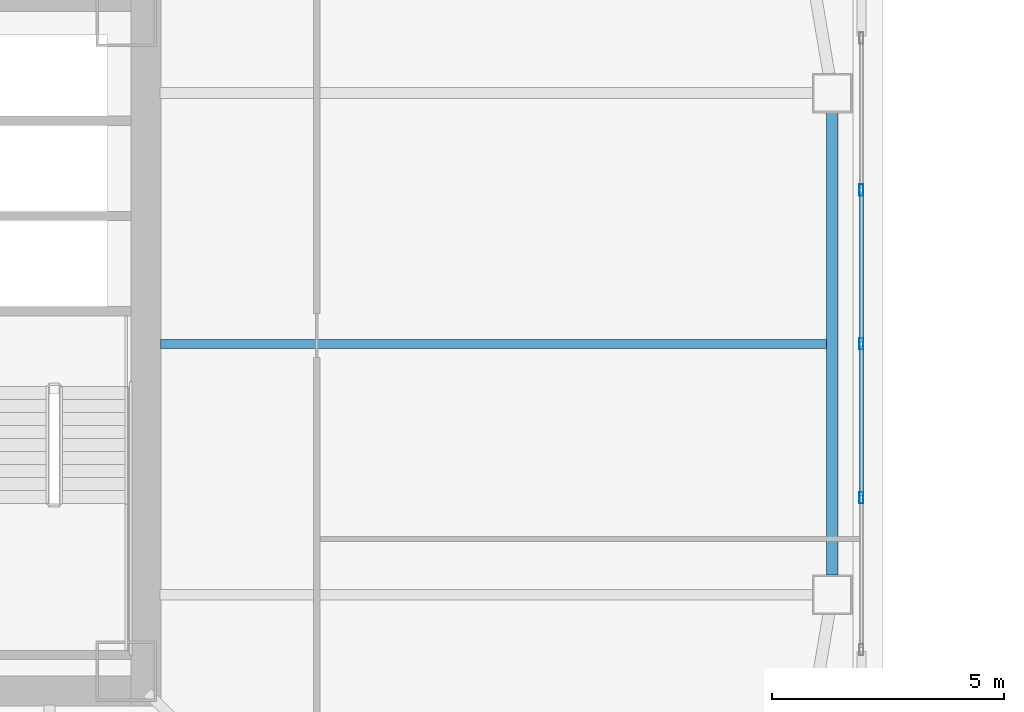
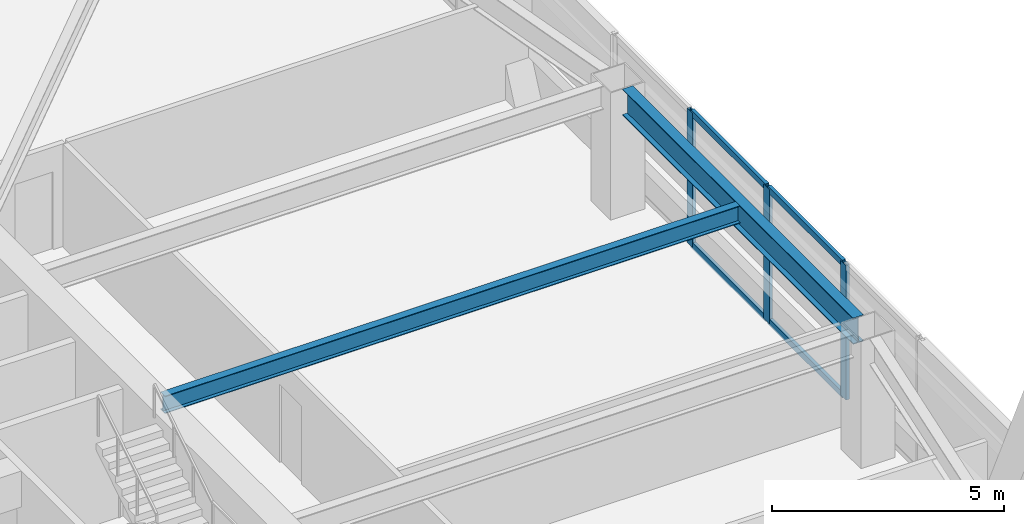
# One storey, part 16 of 75: 7 members, 2 beams, 1 element without a shape of its own.
"""IFC4 building model written with IfcOpenShell, lengths in metres."""

import ifcopenshell
import ifcopenshell.guid

model = None  # the IFC model being written
_history = None  # IfcOwnerHistory: only IFC2X3 demands one
_inside = {}  # id of a spatial element -> (the spatial element, [elements in it])
_under = {}  # id of a project, library or spatial element -> (it, [spatial elements below it])
_declared = {}  # id of a project -> (the project, [libraries it declares])
_typed = {}  # id of a type object -> (the type object, [elements of that type])
_made_of = {}  # id of a material, layer set ... -> (it, [elements and type objects made of it])


def new_model(schema):
    """Start an empty IFC model of exactly this schema.

    Asked for "IFC4X3", IfcOpenShell would pick the latest addendum, in which some entities
    have other attributes; the version numbers below select the first issue.
    IFC2X3 requires an IfcOwnerHistory on every rooted entity: one is made here for all.
    """
    global model, _history
    if schema == "IFC4X3":
        model = ifcopenshell.file(schema_version=(4, 3, 0, 0))
    else:
        model = ifcopenshell.file(schema=schema)
    _inside.clear()
    _under.clear()
    _declared.clear()
    _typed.clear()
    _made_of.clear()
    _history = None
    if model.schema == "IFC2X3":
        org = make("IfcOrganization", Name="unknown")
        user = make(
            "IfcPersonAndOrganization",
            ThePerson=make("IfcPerson", FamilyName="unknown"),
            TheOrganization=org,
        )
        app = make(
            "IfcApplication",
            ApplicationDeveloper=org,
            Version="unknown",
            ApplicationFullName="unknown",
            ApplicationIdentifier="unknown",
        )
        _history = make(
            "IfcOwnerHistory",
            OwningUser=user,
            OwningApplication=app,
            ChangeAction="ADDED",
            CreationDate=0,
        )
    return model


def make(cls, **values):
    """One entity of the class cls with the attributes given. An attribute that is None is left unset."""
    return model.create_entity(
        cls, **{name: value for name, value in values.items() if value is not None}
    )


def rooted(cls, **values):
    """An entity with a GlobalId (a new one), such as an element, a storey or a relation."""
    return make(cls, GlobalId=ifcopenshell.guid.new(), OwnerHistory=_history, **values)


def si_unit(unit_type, name, prefix=None):
    """IfcSIUnit, for example si_unit("LENGTHUNIT", "METRE", prefix="MILLI")."""
    return make("IfcSIUnit", UnitType=unit_type, Prefix=prefix, Name=name)


def assignment(units):
    """IfcUnitAssignment: the units of a project."""
    return None if units is None else make("IfcUnitAssignment", Units=units)


def point(xyz):
    """IfcCartesianPoint."""
    return None if xyz is None else make("IfcCartesianPoint", Coordinates=xyz)


def direction(xyz):
    """IfcDirection."""
    return None if xyz is None else make("IfcDirection", DirectionRatios=xyz)


def frame(location, z_axis=None, x_axis=None):
    """IfcAxis2Placement3D, a coordinate frame: its origin and axes. An axis left out is left unset."""
    return make(
        "IfcAxis2Placement3D",
        Location=point(location),
        Axis=direction(z_axis),
        RefDirection=direction(x_axis),
    )


def frame_2d(location, x_axis=None):
    """IfcAxis2Placement2D, a coordinate frame in the plane: its origin and x axis."""
    return make(
        "IfcAxis2Placement2D", Location=point(location), RefDirection=direction(x_axis)
    )


def origin():
    """The frame at (0, 0, 0) with its axes left unset."""
    return frame((0.0, 0.0, 0.0))


def origin_2d():
    """The frame at (0, 0) in the plane with its x axis left unset."""
    return frame_2d((0.0, 0.0))


def place(relative_to, where):
    """IfcLocalPlacement: puts the frame where relative to a parent placement (None: the world)."""
    return make(
        "IfcLocalPlacement", PlacementRelTo=relative_to, RelativePlacement=where
    )


def context(
    kind, dimensions, precision=None, world=None, true_north=None, identifier=None
):
    """IfcGeometricRepresentationContext, for example the 3D "Model" context."""
    return make(
        "IfcGeometricRepresentationContext",
        ContextIdentifier=identifier,
        ContextType=kind,
        CoordinateSpaceDimension=dimensions,
        Precision=precision,
        WorldCoordinateSystem=world,
        TrueNorth=true_north,
    )


def subcontext(parent, identifier, kind, view, scale=None):
    """IfcGeometricRepresentationSubContext, for example "Body" below "Model"."""
    return make(
        "IfcGeometricRepresentationSubContext",
        ContextIdentifier=identifier,
        ContextType=kind,
        ParentContext=parent,
        TargetScale=scale,
        TargetView=view,
    )


def project(units=None, contexts=None):
    """IfcProject with its units and contexts."""
    return rooted(
        "IfcProject",
        Name="project",
        RepresentationContexts=contexts,
        UnitsInContext=assignment(units),
    )


def spatial(cls, under=None, at=None, **own):
    """A site, building, storey or space (cls), placed at a placement, below another one or the project."""
    s = rooted(cls, ObjectPlacement=at, **own)
    if under is not None:
        _under.setdefault(under.id(), (under, []))[1].append(s)
    return s


def profile(cls, at=None, kind="AREA", **sizes):
    """A parametric profile (cls). Its sizes go by their IFC names, for example OverallWidth=200.0."""
    return make(cls, ProfileType=kind, Position=at, **sizes)


def hollow_rectangle(**sizes):
    """IfcRectangleHollowProfileDef."""
    return profile("IfcRectangleHollowProfileDef", **sizes)


def i_section(**sizes):
    """IfcIShapeProfileDef."""
    return profile("IfcIShapeProfileDef", **sizes)


def extrude(swept, where, along, depth):
    """IfcExtrudedAreaSolid: the profile swept, set in the frame where, extruded along a direction by depth."""
    return make(
        "IfcExtrudedAreaSolid",
        SweptArea=swept,
        Position=where,
        ExtrudedDirection=direction(along),
        Depth=depth,
    )


def shape(context_of_items, identifier, shape_type, items):
    """IfcShapeRepresentation: the items that make up one representation, for example the "Body"."""
    return make(
        "IfcShapeRepresentation",
        ContextOfItems=context_of_items,
        RepresentationIdentifier=identifier,
        RepresentationType=shape_type,
        Items=items,
    )


def material(Name=None, Category=None):
    """IfcMaterial."""
    return make("IfcMaterial", Name=Name, Category=Category)


def material_profile(
    of_material, cross_section, Name=None, Category=None, Priority=None
):
    """IfcMaterialProfile: a cross section and its material."""
    return make(
        "IfcMaterialProfile",
        Name=Name,
        Material=of_material,
        Profile=cross_section,
        Priority=Priority,
        Category=Category,
    )


def profile_set(profiles, Name=None, composite=None):
    """IfcMaterialProfileSet."""
    return make(
        "IfcMaterialProfileSet",
        Name=Name,
        MaterialProfiles=profiles,
        CompositeProfile=composite,
    )


def made_of(thing, what):
    """Note that an element or type object is made of a material, layer set ...; save() writes the relation."""
    if what is not None:
        _made_of.setdefault(what.id(), (what, []))[1].append(thing)
    return thing


def type_object(cls, material=None, **own):
    """A type object (cls), such as IfcWallType, which elements share."""
    return made_of(rooted(cls, **own), material)


def element(
    cls,
    number,
    at=None,
    inside=None,
    cuts=None,
    type_object=None,
    material=None,
    context=None,
    identifier="Body",
    shape_type=None,
    held_by="IfcProductDefinitionShape",
    body=None,
    shapes=None,
    **own,
):
    """One element of the class cls, such as IfcWall. Its Tag is "e" and its number.

    at: its placement. inside: the storey or other place that contains it. cuts: it is an
    opening in that element (IfcRelVoidsElement). A single representation is given by context,
    identifier, shape_type and body (its items); several are given by shapes. held_by: the class
    of the entity that holds the representations. save() writes the other relations.
    """
    e = rooted(cls, Tag="e%d" % number, ObjectPlacement=at, **own)
    if body is not None:
        shapes = [shape(context, identifier, shape_type, body)]
    if shapes is not None:
        e.Representation = make(held_by, Representations=shapes)
    if inside is not None:
        _inside.setdefault(inside.id(), (inside, []))[1].append(e)
    if cuts is not None:
        rooted(
            "IfcRelVoidsElement", RelatingBuildingElement=cuts, RelatedOpeningElement=e
        )
    if type_object is not None:
        _typed.setdefault(type_object.id(), (type_object, []))[1].append(e)
    return made_of(e, material)


def aggregate(whole, parts):
    """IfcRelAggregates: a whole, such as a stair, and the parts it consists of."""
    return rooted("IfcRelAggregates", RelatingObject=whole, RelatedObjects=parts)


def save(model, path):
    """Write the relations noted so far, then the file.

    IfcRelAggregates (storeys below a building ...), IfcRelContainedInSpatialStructure (elements
    in a storey), IfcRelDefinesByType, IfcRelAssociatesMaterial and IfcRelDeclares: one each for
    every whole, place, type object, material and project.
    """
    for whole, parts in _under.values():
        aggregate(whole, parts)
    for where, things in _inside.values():
        rooted(
            "IfcRelContainedInSpatialStructure",
            RelatedElements=things,
            RelatingStructure=where,
        )
    for kind, things in _typed.values():
        rooted("IfcRelDefinesByType", RelatedObjects=things, RelatingType=kind)
    for what, things in _made_of.values():
        rooted("IfcRelAssociatesMaterial", RelatedObjects=things, RelatingMaterial=what)
    for by, libraries in _declared.values():
        rooted("IfcRelDeclares", RelatingContext=by, RelatedDefinitions=libraries)
    model.write(path)


model = new_model("IFC4")

# Units and contexts
model_context = context("Model", 3, precision=1e-05, world=origin(), true_north=direction((0.0, 1.0)))
body_context = subcontext(model_context, "Body", "Model", "MODEL_VIEW")
ifc_project = project(units=[si_unit("LENGTHUNIT", "METRE"), si_unit("AREAUNIT", "SQUARE_METRE"), si_unit("VOLUMEUNIT", "CUBIC_METRE"), si_unit("PLANEANGLEUNIT", "RADIAN"), si_unit("MASSUNIT", "GRAM", prefix="KILO")], contexts=[model_context])

# Site, building, storey
site_placement = place(None, origin())
site = spatial("IfcSite", under=ifc_project, at=site_placement, CompositionType="ELEMENT")
building_placement = place(site_placement, origin())
building = spatial("IfcBuilding", under=site, at=building_placement, Name="Tashvorn Skyway Center", CompositionType="ELEMENT")
storey_placement = place(building_placement, frame((0.0, 0.0, 45.89990234375)))
storey = spatial("IfcBuildingStorey", under=building, at=storey_placement, Name="L11", CompositionType="ELEMENT", Elevation=45.89990234375)

# Beams
ifc_material_1 = material(Name="Steel ASTM A992 Grade 50", Category="steel")
ifc_material_profile_1 = material_profile(ifc_material_1, i_section(OverallWidth=0.19091796875, OverallDepth=0.4599609375, WebThickness=0.010009765625, FlangeThickness=0.01611328125, at=origin_2d()), Name="W18X55")
ifc_profile_set_1 = profile_set([ifc_material_profile_1], Name="Steel ASTM A992 Grade 50")
beam_type_1 = type_object("IfcBeamType", Name="BM-JOIST-W18X55", PredefinedType="JOIST", material=ifc_profile_set_1)
beam_1_placement = place(storey_placement, frame((49.7900390625, 32.0, 3.1201171875), z_axis=(1.0, 0.0, 0.0), x_axis=(0.0, 1.0, 0.0)))
element("IfcBeam", 1, at=beam_1_placement, inside=storey, type_object=beam_type_1, Name="Tower 1 L11 Secondary Composite Joist JE", PredefinedType="JOIST", context=body_context, shape_type="SweptSolid", body=[
    extrude(i_section(OverallWidth=0.19091796875, OverallDepth=0.4599609375, WebThickness=0.010009765625, FlangeThickness=0.01611328125, at=origin_2d()), origin(), (0.0, 0.0, 1.0), 14.33984375),
])
ifc_material_profile_2 = material_profile(ifc_material_1, i_section(OverallWidth=0.256103515625, OverallDepth=0.693115234375, WebThickness=0.014404296875, FlangeThickness=0.023681640625, at=origin_2d()), Name="W27X114")
ifc_profile_set_2 = profile_set([ifc_material_profile_2], Name="Steel ASTM A992 Grade 50")
beam_type_2 = type_object("IfcBeamType", Name="BM-SPANDREL-W27X114", PredefinedType="SPANDREL", material=ifc_profile_set_2)
beam_2_placement = place(storey_placement, frame((64.25, 27.02001953125, 3.003662109375), z_axis=(0.0, 1.0, 0.0), x_axis=(-1.0, 0.0, 0.0)))
element("IfcBeam", 2, at=beam_2_placement, inside=storey, type_object=beam_type_2, Name="Tower 1 L11 Spandrel Beam 05", PredefinedType="SPANDREL", context=body_context, shape_type="SweptSolid", body=[
    extrude(i_section(OverallWidth=0.256103515625, OverallDepth=0.693115234375, WebThickness=0.014404296875, FlangeThickness=0.023681640625, at=origin_2d()), origin(), (0.0, 0.0, 1.0), 9.9599609375),
])

# Curtain wall, members
ifc_material_2 = material(Name="Thermally broken bronze-anodized aluminium 6063-T6", Category="aluminium")
curtain_wall_type = type_object("IfcCurtainWallType", Name="CW-CW-Z1", PredefinedType="NOTDEFINED", material=ifc_material_2)
curtain_wall_placement = place(storey_placement, origin())
curtain_wall = element("IfcCurtainWall", 3, at=curtain_wall_placement, inside=storey, type_object=curtain_wall_type, Name="Tower 1 L11 East Unitised Curtain Wall Glazing Group 2", PredefinedType="NOTDEFINED")
ifc_material_profile_3 = material_profile(ifc_material_2, hollow_rectangle(XDim=0.0849609375, YDim=0.239990234375, WallThickness=0.0048828125, at=origin_2d()), Name="ALU-MULL-85x240")
ifc_profile_set_3 = profile_set([ifc_material_profile_3], Name="Thermally broken bronze-anodized aluminium 6063-T6")
member_type_1 = type_object("IfcMemberType", Name="CWM-CW-Z1", PredefinedType="MULLION", material=ifc_profile_set_3)
member_1_placement = place(storey_placement, frame((64.8798828125, 35.313232421875, 0.0), z_axis=(0.0, 0.0, 1.0), x_axis=(1.0, 0.0, 0.0)))
member_1 = element("IfcMember", 4, at=member_1_placement, type_object=member_type_1, Name="CW-Z1 mullion 2", PredefinedType="MULLION", context=body_context, shape_type="SweptSolid", body=[
    extrude(hollow_rectangle(XDim=0.0849609375, YDim=0.239990234375, WallThickness=0.0048828125, at=origin_2d()), origin(), (0.0, 0.0, 1.0), 3.550048828125),
])
member_2_placement = place(storey_placement, frame((64.8798828125, 32.0, 0.0), z_axis=(0.0, 0.0, 1.0), x_axis=(1.0, 0.0, 0.0)))
member_2 = element("IfcMember", 5, at=member_2_placement, type_object=member_type_1, Name="CW-Z1 mullion 3", PredefinedType="MULLION", context=body_context, shape_type="SweptSolid", body=[
    extrude(hollow_rectangle(XDim=0.0849609375, YDim=0.239990234375, WallThickness=0.0048828125, at=origin_2d()), origin(), (0.0, 0.0, 1.0), 3.550048828125),
])
member_3_placement = place(storey_placement, frame((64.8798828125, 28.686767578125, 0.0), z_axis=(0.0, 0.0, 1.0), x_axis=(1.0, 0.0, 0.0)))
member_3 = element("IfcMember", 6, at=member_3_placement, type_object=member_type_1, Name="CW-Z1 mullion 4", PredefinedType="MULLION", context=body_context, shape_type="SweptSolid", body=[
    extrude(hollow_rectangle(XDim=0.0849609375, YDim=0.239990234375, WallThickness=0.0048828125, at=origin_2d()), origin(), (0.0, 0.0, 1.0), 3.550048828125),
])
ifc_material_profile_4 = material_profile(ifc_material_2, hollow_rectangle(XDim=0.0849609375, YDim=0.1650390625, WallThickness=0.0048828125, at=origin_2d()), Name="ALU-TRAN-85x165")
ifc_profile_set_4 = profile_set([ifc_material_profile_4], Name="Thermally broken bronze-anodized aluminium 6063-T6")
member_type_2 = type_object("IfcMemberType", Name="CWT-CW-Z1", PredefinedType="USERDEFINED", material=ifc_profile_set_4)
member_4_placement = place(storey_placement, frame((64.8798828125, 35.270751953125, 0.04248046875), z_axis=(0.0, -1.0, 0.0), x_axis=(1.0, 0.0, 0.0)))
member_4 = element("IfcMember", 7, at=member_4_placement, type_object=member_type_2, Name="CW-Z1 transom 2.1", ObjectType="TRANSOM", PredefinedType="USERDEFINED", context=body_context, shape_type="SweptSolid", body=[
    extrude(hollow_rectangle(XDim=0.0849609375, YDim=0.1650390625, WallThickness=0.0048828125, at=origin_2d()), origin(), (0.0, 0.0, 1.0), 3.228271484375),
])
member_5_placement = place(storey_placement, frame((64.8798828125, 35.270751953125, 3.507568359375), z_axis=(0.0, -1.0, 0.0), x_axis=(1.0, 0.0, 0.0)))
member_5 = element("IfcMember", 8, at=member_5_placement, type_object=member_type_2, Name="CW-Z1 transom 2.2", ObjectType="TRANSOM", PredefinedType="USERDEFINED", context=body_context, shape_type="SweptSolid", body=[
    extrude(hollow_rectangle(XDim=0.0849609375, YDim=0.1650390625, WallThickness=0.0048828125, at=origin_2d()), origin(), (0.0, 0.0, 1.0), 3.228271484375),
])
member_6_placement = place(storey_placement, frame((64.8798828125, 31.95751953125, 0.04248046875), z_axis=(0.0, -1.0, 0.0), x_axis=(1.0, 0.0, 0.0)))
member_6 = element("IfcMember", 9, at=member_6_placement, type_object=member_type_2, Name="CW-Z1 transom 3.1", ObjectType="TRANSOM", PredefinedType="USERDEFINED", context=body_context, shape_type="SweptSolid", body=[
    extrude(hollow_rectangle(XDim=0.0849609375, YDim=0.1650390625, WallThickness=0.0048828125, at=origin_2d()), origin(), (0.0, 0.0, 1.0), 3.228271484375),
])
member_7_placement = place(storey_placement, frame((64.8798828125, 31.95751953125, 3.507568359375), z_axis=(0.0, -1.0, 0.0), x_axis=(1.0, 0.0, 0.0)))
member_7 = element("IfcMember", 10, at=member_7_placement, type_object=member_type_2, Name="CW-Z1 transom 3.2", ObjectType="TRANSOM", PredefinedType="USERDEFINED", context=body_context, shape_type="SweptSolid", body=[
    extrude(hollow_rectangle(XDim=0.0849609375, YDim=0.1650390625, WallThickness=0.0048828125, at=origin_2d()), origin(), (0.0, 0.0, 1.0), 3.228271484375),
])
aggregate(curtain_wall, [member_1, member_2, member_3, member_4, member_5, member_6, member_7])

save(model, "model.ifc")
